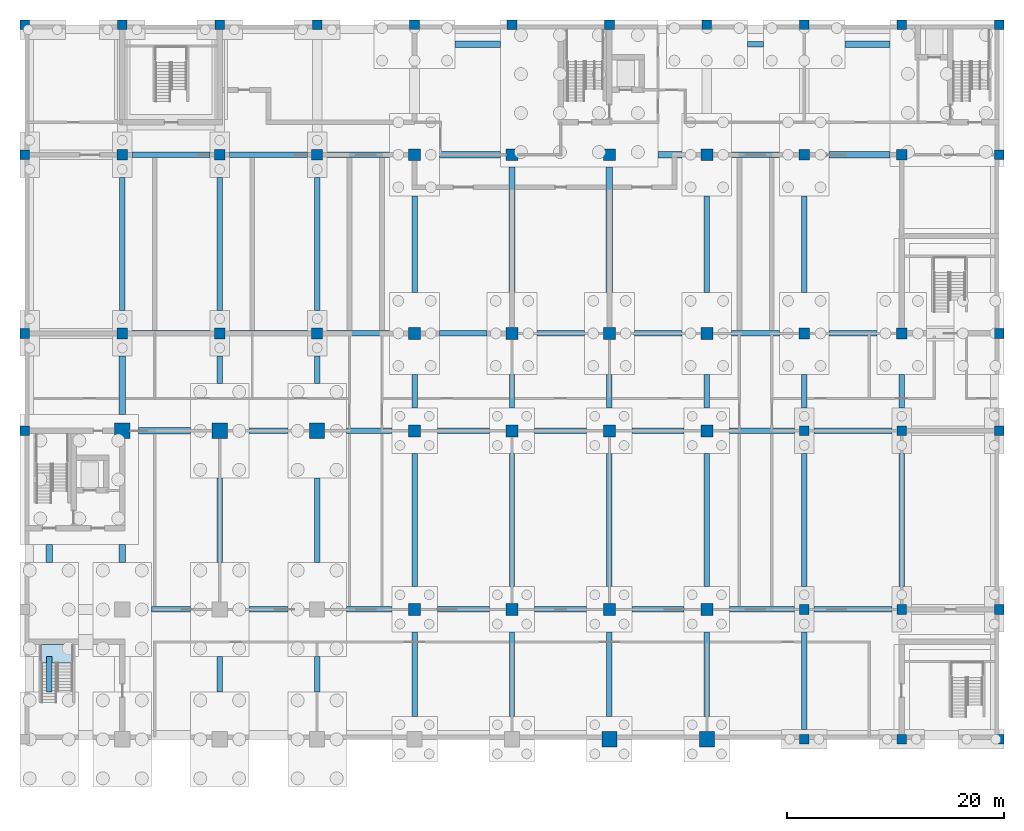
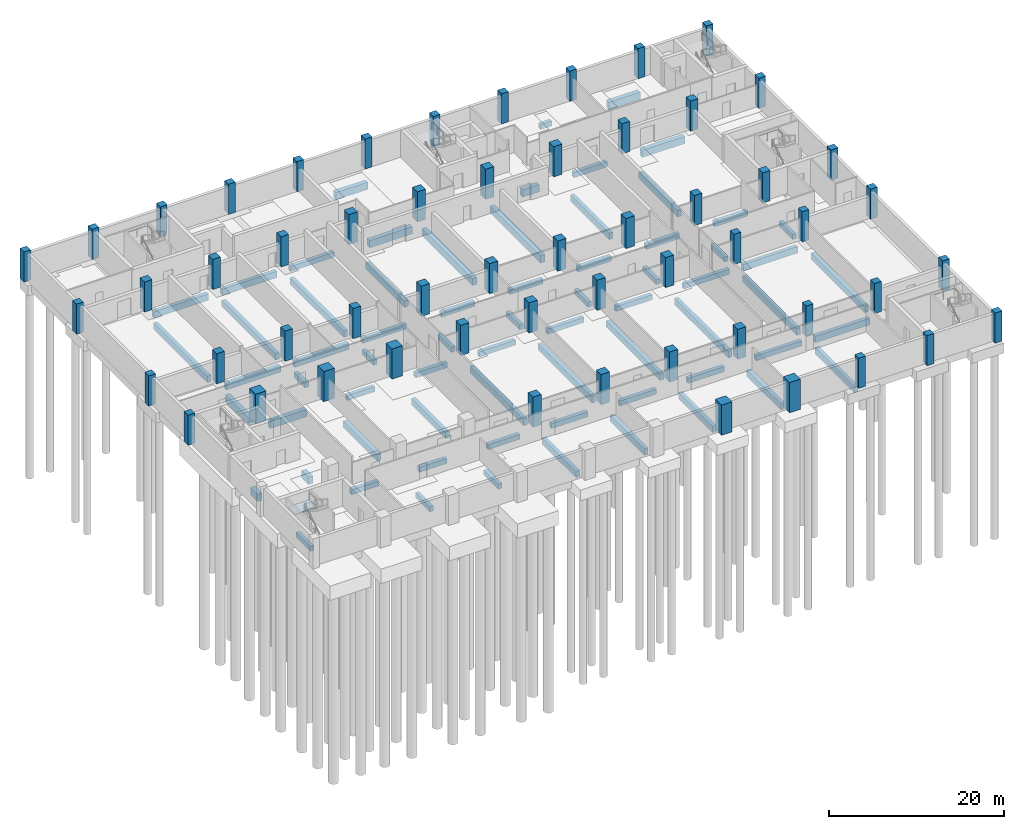
# One storey, part 3 of 15: 69 beams, 56 columns, 1 slab, 1 element without a shape of its own.
"""IFC4 building model written with IfcOpenShell, lengths in metres."""

import ifcopenshell
import ifcopenshell.guid

model = None  # the IFC model being written
_history = None  # IfcOwnerHistory: only IFC2X3 demands one
_inside = {}  # id of a spatial element -> (the spatial element, [elements in it])
_under = {}  # id of a project, library or spatial element -> (it, [spatial elements below it])
_declared = {}  # id of a project -> (the project, [libraries it declares])
_typed = {}  # id of a type object -> (the type object, [elements of that type])
_made_of = {}  # id of a material, layer set ... -> (it, [elements and type objects made of it])


def new_model(schema):
    """Start an empty IFC model of exactly this schema.

    Asked for "IFC4X3", IfcOpenShell would pick the latest addendum, in which some entities
    have other attributes; the version numbers below select the first issue.
    IFC2X3 requires an IfcOwnerHistory on every rooted entity: one is made here for all.
    """
    global model, _history
    if schema == "IFC4X3":
        model = ifcopenshell.file(schema_version=(4, 3, 0, 0))
    else:
        model = ifcopenshell.file(schema=schema)
    _inside.clear()
    _under.clear()
    _declared.clear()
    _typed.clear()
    _made_of.clear()
    _history = None
    if model.schema == "IFC2X3":
        org = make("IfcOrganization", Name="unknown")
        user = make(
            "IfcPersonAndOrganization",
            ThePerson=make("IfcPerson", FamilyName="unknown"),
            TheOrganization=org,
        )
        app = make(
            "IfcApplication",
            ApplicationDeveloper=org,
            Version="unknown",
            ApplicationFullName="unknown",
            ApplicationIdentifier="unknown",
        )
        _history = make(
            "IfcOwnerHistory",
            OwningUser=user,
            OwningApplication=app,
            ChangeAction="ADDED",
            CreationDate=0,
        )
    return model


def make(cls, **values):
    """One entity of the class cls with the attributes given. An attribute that is None is left unset."""
    return model.create_entity(
        cls, **{name: value for name, value in values.items() if value is not None}
    )


def rooted(cls, **values):
    """An entity with a GlobalId (a new one), such as an element, a storey or a relation."""
    return make(cls, GlobalId=ifcopenshell.guid.new(), OwnerHistory=_history, **values)


def si_unit(unit_type, name, prefix=None):
    """IfcSIUnit, for example si_unit("LENGTHUNIT", "METRE", prefix="MILLI")."""
    return make("IfcSIUnit", UnitType=unit_type, Prefix=prefix, Name=name)


def assignment(units):
    """IfcUnitAssignment: the units of a project."""
    return None if units is None else make("IfcUnitAssignment", Units=units)


def point(xyz):
    """IfcCartesianPoint."""
    return None if xyz is None else make("IfcCartesianPoint", Coordinates=xyz)


def direction(xyz):
    """IfcDirection."""
    return None if xyz is None else make("IfcDirection", DirectionRatios=xyz)


def frame(location, z_axis=None, x_axis=None):
    """IfcAxis2Placement3D, a coordinate frame: its origin and axes. An axis left out is left unset."""
    return make(
        "IfcAxis2Placement3D",
        Location=point(location),
        Axis=direction(z_axis),
        RefDirection=direction(x_axis),
    )


def frame_2d(location, x_axis=None):
    """IfcAxis2Placement2D, a coordinate frame in the plane: its origin and x axis."""
    return make(
        "IfcAxis2Placement2D", Location=point(location), RefDirection=direction(x_axis)
    )


def origin():
    """The frame at (0, 0, 0) with its axes left unset."""
    return frame((0.0, 0.0, 0.0))


def origin_2d():
    """The frame at (0, 0) in the plane with its x axis left unset."""
    return frame_2d((0.0, 0.0))


def place(relative_to, where):
    """IfcLocalPlacement: puts the frame where relative to a parent placement (None: the world)."""
    return make(
        "IfcLocalPlacement", PlacementRelTo=relative_to, RelativePlacement=where
    )


def context(
    kind, dimensions, precision=None, world=None, true_north=None, identifier=None
):
    """IfcGeometricRepresentationContext, for example the 3D "Model" context."""
    return make(
        "IfcGeometricRepresentationContext",
        ContextIdentifier=identifier,
        ContextType=kind,
        CoordinateSpaceDimension=dimensions,
        Precision=precision,
        WorldCoordinateSystem=world,
        TrueNorth=true_north,
    )


def subcontext(parent, identifier, kind, view, scale=None):
    """IfcGeometricRepresentationSubContext, for example "Body" below "Model"."""
    return make(
        "IfcGeometricRepresentationSubContext",
        ContextIdentifier=identifier,
        ContextType=kind,
        ParentContext=parent,
        TargetScale=scale,
        TargetView=view,
    )


def project(units=None, contexts=None):
    """IfcProject with its units and contexts."""
    return rooted(
        "IfcProject",
        Name="project",
        RepresentationContexts=contexts,
        UnitsInContext=assignment(units),
    )


def spatial(cls, under=None, at=None, **own):
    """A site, building, storey or space (cls), placed at a placement, below another one or the project."""
    s = rooted(cls, ObjectPlacement=at, **own)
    if under is not None:
        _under.setdefault(under.id(), (under, []))[1].append(s)
    return s


def polyline(points):
    """IfcPolyline through the points."""
    return make("IfcPolyline", Points=[point(p) for p in points])


def profile(cls, at=None, kind="AREA", **sizes):
    """A parametric profile (cls). Its sizes go by their IFC names, for example OverallWidth=200.0."""
    return make(cls, ProfileType=kind, Position=at, **sizes)


def rectangle(**sizes):
    """IfcRectangleProfileDef."""
    return profile("IfcRectangleProfileDef", **sizes)


def outline(outer, holes=None, kind="AREA"):
    """IfcArbitraryClosedProfileDef: a profile drawn as a closed curve; with holes, ...WithVoids."""
    if holes is None:
        return make("IfcArbitraryClosedProfileDef", ProfileType=kind, OuterCurve=outer)
    return make(
        "IfcArbitraryProfileDefWithVoids",
        ProfileType=kind,
        OuterCurve=outer,
        InnerCurves=holes,
    )


def extrude(swept, where, along, depth):
    """IfcExtrudedAreaSolid: the profile swept, set in the frame where, extruded along a direction by depth."""
    return make(
        "IfcExtrudedAreaSolid",
        SweptArea=swept,
        Position=where,
        ExtrudedDirection=direction(along),
        Depth=depth,
    )


def shape(context_of_items, identifier, shape_type, items):
    """IfcShapeRepresentation: the items that make up one representation, for example the "Body"."""
    return make(
        "IfcShapeRepresentation",
        ContextOfItems=context_of_items,
        RepresentationIdentifier=identifier,
        RepresentationType=shape_type,
        Items=items,
    )


def material(Name=None, Category=None):
    """IfcMaterial."""
    return make("IfcMaterial", Name=Name, Category=Category)


def layer(
    of_material, thickness, ventilated=None, Name=None, Category=None, Priority=None
):
    """IfcMaterialLayer: one layer of a wall or slab, of a material (None: an air gap)."""
    return make(
        "IfcMaterialLayer",
        Material=of_material,
        LayerThickness=thickness,
        IsVentilated=ventilated,
        Name=Name,
        Category=Category,
        Priority=Priority,
    )


def layer_set(layers, Name=None):
    """IfcMaterialLayerSet."""
    return make("IfcMaterialLayerSet", MaterialLayers=layers, LayerSetName=Name)


def material_profile(
    of_material, cross_section, Name=None, Category=None, Priority=None
):
    """IfcMaterialProfile: a cross section and its material."""
    return make(
        "IfcMaterialProfile",
        Name=Name,
        Material=of_material,
        Profile=cross_section,
        Priority=Priority,
        Category=Category,
    )


def profile_set(profiles, Name=None, composite=None):
    """IfcMaterialProfileSet."""
    return make(
        "IfcMaterialProfileSet",
        Name=Name,
        MaterialProfiles=profiles,
        CompositeProfile=composite,
    )


def made_of(thing, what):
    """Note that an element or type object is made of a material, layer set ...; save() writes the relation."""
    if what is not None:
        _made_of.setdefault(what.id(), (what, []))[1].append(thing)
    return thing


def type_object(cls, material=None, **own):
    """A type object (cls), such as IfcWallType, which elements share."""
    return made_of(rooted(cls, **own), material)


def element(
    cls,
    number,
    at=None,
    inside=None,
    cuts=None,
    type_object=None,
    material=None,
    context=None,
    identifier="Body",
    shape_type=None,
    held_by="IfcProductDefinitionShape",
    body=None,
    shapes=None,
    **own,
):
    """One element of the class cls, such as IfcWall. Its Tag is "e" and its number.

    at: its placement. inside: the storey or other place that contains it. cuts: it is an
    opening in that element (IfcRelVoidsElement). A single representation is given by context,
    identifier, shape_type and body (its items); several are given by shapes. held_by: the class
    of the entity that holds the representations. save() writes the other relations.
    """
    e = rooted(cls, Tag="e%d" % number, ObjectPlacement=at, **own)
    if body is not None:
        shapes = [shape(context, identifier, shape_type, body)]
    if shapes is not None:
        e.Representation = make(held_by, Representations=shapes)
    if inside is not None:
        _inside.setdefault(inside.id(), (inside, []))[1].append(e)
    if cuts is not None:
        rooted(
            "IfcRelVoidsElement", RelatingBuildingElement=cuts, RelatedOpeningElement=e
        )
    if type_object is not None:
        _typed.setdefault(type_object.id(), (type_object, []))[1].append(e)
    return made_of(e, material)


def aggregate(whole, parts):
    """IfcRelAggregates: a whole, such as a stair, and the parts it consists of."""
    return rooted("IfcRelAggregates", RelatingObject=whole, RelatedObjects=parts)


def save(model, path):
    """Write the relations noted so far, then the file.

    IfcRelAggregates (storeys below a building ...), IfcRelContainedInSpatialStructure (elements
    in a storey), IfcRelDefinesByType, IfcRelAssociatesMaterial and IfcRelDeclares: one each for
    every whole, place, type object, material and project.
    """
    for whole, parts in _under.values():
        aggregate(whole, parts)
    for where, things in _inside.values():
        rooted(
            "IfcRelContainedInSpatialStructure",
            RelatedElements=things,
            RelatingStructure=where,
        )
    for kind, things in _typed.values():
        rooted("IfcRelDefinesByType", RelatedObjects=things, RelatingType=kind)
    for what, things in _made_of.values():
        rooted("IfcRelAssociatesMaterial", RelatedObjects=things, RelatingMaterial=what)
    for by, libraries in _declared.values():
        rooted("IfcRelDeclares", RelatingContext=by, RelatedDefinitions=libraries)
    model.write(path)


model = new_model("IFC4")

# Units and contexts
model_context = context("Model", 3, precision=1e-05, world=origin(), true_north=direction((0.0, 1.0)))
body_context = subcontext(model_context, "Body", "Model", "MODEL_VIEW")
ifc_project = project(units=[si_unit("LENGTHUNIT", "METRE"), si_unit("AREAUNIT", "SQUARE_METRE"), si_unit("VOLUMEUNIT", "CUBIC_METRE"), si_unit("PLANEANGLEUNIT", "RADIAN"), si_unit("MASSUNIT", "GRAM", prefix="KILO")], contexts=[model_context])

# Site, building, storey
site_placement = place(None, origin())
site = spatial("IfcSite", under=ifc_project, at=site_placement, CompositionType="ELEMENT")
building_placement = place(site_placement, origin())
building = spatial("IfcBuilding", under=site, at=building_placement, Name="Aurelan Courthouse", CompositionType="ELEMENT")
storey_placement = place(building_placement, frame((0.0, 0.0, -8.39990234375)))
storey = spatial("IfcBuildingStorey", under=building, at=storey_placement, Name="B2", CompositionType="ELEMENT", Elevation=-8.39990234375)

# Columns
ifc_material_1 = material(Name="Concrete C50", Category="concrete")
ifc_material_profile_1 = material_profile(ifc_material_1, rectangle(XDim=1.0, YDim=1.0, at=origin_2d()), Name="RC 1000 x 1000")
ifc_profile_set_1 = profile_set([ifc_material_profile_1], Name="Concrete C50")
column_type_1 = type_object("IfcColumnType", Name="RC column 1000 x 1000 C50", PredefinedType="COLUMN", material=ifc_profile_set_1)
for number, where, z_axis, x_axis, name in (
    (1, (9.0, 37.5, 0.0), (0.0, 0.0, 1.0), (1.0, 0.0, 0.0), "Column C-D2-A"),
    (2, (18.0, 37.5, 0.0), (0.0, 0.0, 1.0), (1.0, 0.0, 0.0), "Column C-D3-A"),
    (3, (27.0, 37.5, 0.0), (0.0, 0.0, 1.0), (1.0, 0.0, 0.0), "Column C-D4-A"),
    (4, (72.0, 37.5, 0.0), (0.0, 0.0, 1.0), (1.0, 0.0, 0.0), "Column C-D9-A"),
    (5, (81.0, 37.5, 0.0), (0.0, 0.0, 1.0), (1.0, 0.0, 0.0), "Column C-D10-A"),
    (6, (9.0, 54.0, 0.0), (0.0, 0.0, 1.0), (1.0, 0.0, 0.0), "Column C-E2-A"),
    (7, (18.0, 54.0, 0.0), (0.0, 0.0, 1.0), (1.0, 0.0, 0.0), "Column C-E3-A"),
    (8, (27.0, 54.0, 0.0), (0.0, 0.0, 1.0), (1.0, 0.0, 0.0), "Column C-E4-A"),
    (9, (72.0, 54.0, 0.0), (0.0, 0.0, 1.0), (1.0, 0.0, 0.0), "Column C-E9-A"),
    (10, (81.0, 54.0, 0.0), (0.0, 0.0, 1.0), (1.0, 0.0, 0.0), "Column C-E10-A"),
):
    element("IfcColumn", number, at=place(storey_placement, frame(where, z_axis=z_axis, x_axis=x_axis)), inside=storey, type_object=column_type_1, Name=name, PredefinedType="COLUMN", context=body_context, shape_type="SweptSolid", body=[
        extrude(rectangle(XDim=1.0, YDim=1.0, at=origin_2d()), origin(), (0.0, 0.0, 1.0), 4.199951171875),
    ])
ifc_material_profile_2 = material_profile(ifc_material_1, rectangle(XDim=1.10009765625, YDim=1.10009765625, at=origin_2d()), Name="RC 1100 x 1100")
ifc_profile_set_2 = profile_set([ifc_material_profile_2], Name="Concrete C50")
column_type_2 = type_object("IfcColumnType", Name="RC column 1100 x 1100 C50", PredefinedType="COLUMN", material=ifc_profile_set_2)
for number, where, z_axis, x_axis, name in (
    (11, (36.0, 12.0, 0.0), (0.0, 0.0, 1.0), (1.0, 0.0, 0.0), "Column C-B5-A"),
    (12, (45.0, 12.0, 0.0), (0.0, 0.0, 1.0), (1.0, 0.0, 0.0), "Column C-B6-A"),
    (13, (54.0, 12.0, 0.0), (0.0, 0.0, 1.0), (1.0, 0.0, 0.0), "Column C-B7-A"),
    (14, (63.0, 12.0, 0.0), (0.0, 0.0, 1.0), (1.0, 0.0, 0.0), "Column C-B8-A"),
    (15, (36.0, 28.5, 0.0), (0.0, 0.0, 1.0), (1.0, 0.0, 0.0), "Column C-C5-A"),
    (16, (45.0, 28.5, 0.0), (0.0, 0.0, 1.0), (1.0, 0.0, 0.0), "Column C-C6-A"),
    (17, (54.0, 28.5, 0.0), (0.0, 0.0, 1.0), (1.0, 0.0, 0.0), "Column C-C7-A"),
    (18, (63.0, 28.5, 0.0), (0.0, 0.0, 1.0), (1.0, 0.0, 0.0), "Column C-C8-A"),
    (19, (36.0, 37.5, 0.0), (0.0, 0.0, 1.0), (1.0, 0.0, 0.0), "Column C-D5-A"),
    (20, (45.0, 37.5, 0.0), (0.0, 0.0, 1.0), (1.0, 0.0, 0.0), "Column C-D6-A"),
    (21, (54.0, 37.5, 0.0), (0.0, 0.0, 1.0), (1.0, 0.0, 0.0), "Column C-D7-A"),
    (22, (63.0, 37.5, 0.0), (0.0, 0.0, 1.0), (1.0, 0.0, 0.0), "Column C-D8-A"),
    (23, (36.0, 54.0, 0.0), (0.0, 0.0, 1.0), (1.0, 0.0, 0.0), "Column C-E5-A"),
    (24, (45.0, 54.0, 0.0), (0.0, 0.0, 1.0), (1.0, 0.0, 0.0), "Column C-E6-A"),
    (25, (54.0, 54.0, 0.0), (0.0, 0.0, 1.0), (1.0, 0.0, 0.0), "Column C-E7-A"),
    (26, (63.0, 54.0, 0.0), (0.0, 0.0, 1.0), (1.0, 0.0, 0.0), "Column C-E8-A"),
):
    element("IfcColumn", number, at=place(storey_placement, frame(where, z_axis=z_axis, x_axis=x_axis)), inside=storey, type_object=column_type_2, Name=name, PredefinedType="COLUMN", context=body_context, shape_type="SweptSolid", body=[
        extrude(rectangle(XDim=1.10009765625, YDim=1.10009765625, at=origin_2d()), origin(), (0.0, 0.0, 1.0), 4.199951171875),
    ])
ifc_material_profile_3 = material_profile(ifc_material_1, rectangle(XDim=1.39990234375, YDim=1.39990234375, at=origin_2d()), Name="RC 1400 x 1400")
ifc_profile_set_3 = profile_set([ifc_material_profile_3], Name="Concrete C50")
column_type_3 = type_object("IfcColumnType", Name="RC column 1400 x 1400 C50", PredefinedType="COLUMN", material=ifc_profile_set_3)
for number, where, z_axis, x_axis, name in (
    (27, (54.0, 0.0, 0.0), (0.0, 0.0, 1.0), (1.0, 0.0, 0.0), "Column C-A7-A"),
    (28, (63.0, 0.0, 0.0), (0.0, 0.0, 1.0), (1.0, 0.0, 0.0), "Column C-A8-A"),
    (29, (9.0, 28.5, 0.0), (0.0, 0.0, 1.0), (1.0, 0.0, 0.0), "Column C-C2-A"),
    (30, (18.0, 28.5, 0.0), (0.0, 0.0, 1.0), (1.0, 0.0, 0.0), "Column C-C3-A"),
    (31, (27.0, 28.5, 0.0), (0.0, 0.0, 1.0), (1.0, 0.0, 0.0), "Column C-C4-A"),
):
    element("IfcColumn", number, at=place(storey_placement, frame(where, z_axis=z_axis, x_axis=x_axis)), inside=storey, type_object=column_type_3, Name=name, PredefinedType="COLUMN", context=body_context, shape_type="SweptSolid", body=[
        extrude(rectangle(XDim=1.39990234375, YDim=1.39990234375, at=origin_2d()), origin(), (0.0, 0.0, 1.0), 4.199951171875),
    ])
ifc_material_profile_4 = material_profile(ifc_material_1, rectangle(XDim=0.89990234375, YDim=0.89990234375, at=origin_2d()), Name="RC 900 x 900")
ifc_profile_set_4 = profile_set([ifc_material_profile_4], Name="Concrete C50")
column_type_4 = type_object("IfcColumnType", Name="RC column 900 x 900 C50", PredefinedType="COLUMN", material=ifc_profile_set_4)
for number, where, z_axis, x_axis, name in (
    (32, (72.0, 0.0, 0.0), (0.0, 0.0, 1.0), (1.0, 0.0, 0.0), "Column C-A9-A"),
    (33, (81.0, 0.0, 0.0), (0.0, 0.0, 1.0), (1.0, 0.0, 0.0), "Column C-A10-A"),
    (34, (90.0, 0.0, 0.0), (0.0, 0.0, 1.0), (1.0, 0.0, 0.0), "Column C-A11-A"),
    (35, (72.0, 12.0, 0.0), (0.0, 0.0, 1.0), (1.0, 0.0, 0.0), "Column C-B9-A"),
    (36, (81.0, 12.0, 0.0), (0.0, 0.0, 1.0), (1.0, 0.0, 0.0), "Column C-B10-A"),
    (37, (90.0, 12.0, 0.0), (0.0, 0.0, 1.0), (1.0, 0.0, 0.0), "Column C-B11-A"),
    (38, (0.0, 28.5, 0.0), (0.0, 0.0, 1.0), (1.0, 0.0, 0.0), "Column C-C1-A"),
    (39, (72.0, 28.5, 0.0), (0.0, 0.0, 1.0), (1.0, 0.0, 0.0), "Column C-C9-A"),
    (40, (81.0, 28.5, 0.0), (0.0, 0.0, 1.0), (1.0, 0.0, 0.0), "Column C-C10-A"),
    (41, (90.0, 28.5, 0.0), (0.0, 0.0, 1.0), (1.0, 0.0, 0.0), "Column C-C11-A"),
    (42, (0.0, 37.5, 0.0), (0.0, 0.0, 1.0), (1.0, 0.0, 0.0), "Column C-D1-A"),
    (43, (90.0, 37.5, 0.0), (0.0, 0.0, 1.0), (1.0, 0.0, 0.0), "Column C-D11-A"),
    (44, (0.0, 54.0, 0.0), (0.0, 0.0, 1.0), (1.0, 0.0, 0.0), "Column C-E1-A"),
    (45, (90.0, 54.0, 0.0), (0.0, 0.0, 1.0), (1.0, 0.0, 0.0), "Column C-E11-A"),
    (46, (0.0, 66.0, 0.0), (0.0, 0.0, 1.0), (1.0, 0.0, 0.0), "Column C-F1-A"),
    (47, (9.0, 66.0, 0.0), (0.0, 0.0, 1.0), (1.0, 0.0, 0.0), "Column C-F2-A"),
    (48, (18.0, 66.0, 0.0), (0.0, 0.0, 1.0), (1.0, 0.0, 0.0), "Column C-F3-A"),
    (49, (27.0, 66.0, 0.0), (0.0, 0.0, 1.0), (1.0, 0.0, 0.0), "Column C-F4-A"),
    (50, (36.0, 66.0, 0.0), (0.0, 0.0, 1.0), (1.0, 0.0, 0.0), "Column C-F5-A"),
    (51, (45.0, 66.0, 0.0), (0.0, 0.0, 1.0), (1.0, 0.0, 0.0), "Column C-F6-A"),
    (52, (54.0, 66.0, 0.0), (0.0, 0.0, 1.0), (1.0, 0.0, 0.0), "Column C-F7-A"),
    (53, (63.0, 66.0, 0.0), (0.0, 0.0, 1.0), (1.0, 0.0, 0.0), "Column C-F8-A"),
    (54, (72.0, 66.0, 0.0), (0.0, 0.0, 1.0), (1.0, 0.0, 0.0), "Column C-F9-A"),
    (55, (81.0, 66.0, 0.0), (0.0, 0.0, 1.0), (1.0, 0.0, 0.0), "Column C-F10-A"),
    (56, (90.0, 66.0, 0.0), (0.0, 0.0, 1.0), (1.0, 0.0, 0.0), "Column C-F11-A"),
):
    element("IfcColumn", number, at=place(storey_placement, frame(where, z_axis=z_axis, x_axis=x_axis)), inside=storey, type_object=column_type_4, Name=name, PredefinedType="COLUMN", context=body_context, shape_type="SweptSolid", body=[
        extrude(rectangle(XDim=0.89990234375, YDim=0.89990234375, at=origin_2d()), origin(), (0.0, 0.0, 1.0), 4.199951171875),
    ])

# Beams
ifc_material_2 = material(Name="Concrete C35", Category="concrete")
ifc_material_profile_5 = material_profile(ifc_material_2, rectangle(XDim=0.5, YDim=0.699951171875, at=origin_2d()), Name="RC 500 x 700")
ifc_profile_set_5 = profile_set([ifc_material_profile_5], Name="Concrete C35")
beam_type_1 = type_object("IfcBeamType", Name="RC tie beam 500 x 700", PredefinedType="BEAM", material=ifc_profile_set_5)
for number, where, z_axis, x_axis, name in (
    (57, (11.699951171875, 12.0, -0.9501953125), (1.0, 0.0, 0.0), (0.0, 1.0, 0.0), "Tie beam TB-B2-B3"),
    (58, (20.699951171875, 12.0, -0.9501953125), (1.0, 0.0, 0.0), (0.0, 1.0, 0.0), "Tie beam TB-B3-B4"),
):
    element("IfcBeam", number, at=place(storey_placement, frame(where, z_axis=z_axis, x_axis=x_axis)), inside=storey, type_object=beam_type_1, Name=name, PredefinedType="BEAM", context=body_context, shape_type="SweptSolid", body=[
        extrude(rectangle(XDim=0.5, YDim=0.699951171875, at=origin_2d()), origin(), (0.0, 0.0, 1.0), 3.60009765625),
    ])
beam_1_placement = place(storey_placement, frame((29.699951171875, 12.0, -0.9501953125), z_axis=(1.0, 0.0, 0.0), x_axis=(0.0, 1.0, 0.0)))
element("IfcBeam", 59, at=beam_1_placement, inside=storey, type_object=beam_type_1, Name="Tie beam TB-B4-B5", PredefinedType="BEAM", context=body_context, shape_type="SweptSolid", body=[
    extrude(rectangle(XDim=0.5, YDim=0.699951171875, at=origin_2d()), origin(), (0.0, 0.0, 1.0), 4.199951171875),
])
for number, where, z_axis, x_axis, name in (
    (60, (38.10009765625, 12.0, -0.9501953125), (1.0, 0.0, 0.0), (0.0, 1.0, 0.0), "Tie beam TB-B5-B6"),
    (61, (47.10009765625, 12.0, -0.9501953125), (1.0, 0.0, 0.0), (0.0, 1.0, 0.0), "Tie beam TB-B6-B7"),
    (62, (56.10009765625, 12.0, -0.9501953125), (1.0, 0.0, 0.0), (0.0, 1.0, 0.0), "Tie beam TB-B7-B8"),
):
    element("IfcBeam", number, at=place(storey_placement, frame(where, z_axis=z_axis, x_axis=x_axis)), inside=storey, type_object=beam_type_1, Name=name, PredefinedType="BEAM", context=body_context, shape_type="SweptSolid", body=[
        extrude(rectangle(XDim=0.5, YDim=0.699951171875, at=origin_2d()), origin(), (0.0, 0.0, 1.0), 4.7998046875),
    ])
beam_2_placement = place(storey_placement, frame((65.10009765625, 12.0, -0.9501953125), z_axis=(1.0, 0.0, 0.0), x_axis=(0.0, 1.0, 0.0)))
element("IfcBeam", 63, at=beam_2_placement, inside=storey, type_object=beam_type_1, Name="Tie beam TB-B8-B9", PredefinedType="BEAM", context=body_context, shape_type="SweptSolid", body=[
    extrude(rectangle(XDim=0.5, YDim=0.699951171875, at=origin_2d()), origin(), (0.0, 0.0, 1.0), 6.0),
])
beam_3_placement = place(storey_placement, frame((20.699951171875, 28.5, -0.9501953125), z_axis=(1.0, 0.0, 0.0), x_axis=(0.0, 1.0, 0.0)))
element("IfcBeam", 64, at=beam_3_placement, inside=storey, type_object=beam_type_1, Name="Tie beam TB-C3-C4", PredefinedType="BEAM", context=body_context, shape_type="SweptSolid", body=[
    extrude(rectangle(XDim=0.5, YDim=0.699951171875, at=origin_2d()), origin(), (0.0, 0.0, 1.0), 3.60009765625),
])
beam_4_placement = place(storey_placement, frame((29.699951171875, 28.5, -0.9501953125), z_axis=(1.0, 0.0, 0.0), x_axis=(0.0, 1.0, 0.0)))
element("IfcBeam", 65, at=beam_4_placement, inside=storey, type_object=beam_type_1, Name="Tie beam TB-C4-C5", PredefinedType="BEAM", context=body_context, shape_type="SweptSolid", body=[
    extrude(rectangle(XDim=0.5, YDim=0.699951171875, at=origin_2d()), origin(), (0.0, 0.0, 1.0), 4.199951171875),
])
for number, where, z_axis, x_axis, name in (
    (66, (38.10009765625, 28.5, -0.9501953125), (1.0, 0.0, 0.0), (0.0, 1.0, 0.0), "Tie beam TB-C5-C6"),
    (67, (47.10009765625, 28.5, -0.9501953125), (1.0, 0.0, 0.0), (0.0, 1.0, 0.0), "Tie beam TB-C6-C7"),
    (68, (56.10009765625, 28.5, -0.9501953125), (1.0, 0.0, 0.0), (0.0, 1.0, 0.0), "Tie beam TB-C7-C8"),
):
    element("IfcBeam", number, at=place(storey_placement, frame(where, z_axis=z_axis, x_axis=x_axis)), inside=storey, type_object=beam_type_1, Name=name, PredefinedType="BEAM", context=body_context, shape_type="SweptSolid", body=[
        extrude(rectangle(XDim=0.5, YDim=0.699951171875, at=origin_2d()), origin(), (0.0, 0.0, 1.0), 4.7998046875),
    ])
beam_5_placement = place(storey_placement, frame((65.10009765625, 28.5, -0.9501953125), z_axis=(1.0, 0.0, 0.0), x_axis=(0.0, 1.0, 0.0)))
element("IfcBeam", 69, at=beam_5_placement, inside=storey, type_object=beam_type_1, Name="Tie beam TB-C8-C9", PredefinedType="BEAM", context=body_context, shape_type="SweptSolid", body=[
    extrude(rectangle(XDim=0.5, YDim=0.699951171875, at=origin_2d()), origin(), (0.0, 0.0, 1.0), 6.0),
])
beam_6_placement = place(storey_placement, frame((27.89990234375, 37.5, -0.9501953125), z_axis=(1.0, 0.0, 0.0), x_axis=(0.0, 1.0, 0.0)))
element("IfcBeam", 70, at=beam_6_placement, inside=storey, type_object=beam_type_1, Name="Tie beam TB-D4-D5", PredefinedType="BEAM", context=body_context, shape_type="SweptSolid", body=[
    extrude(rectangle(XDim=0.5, YDim=0.699951171875, at=origin_2d()), origin(), (0.0, 0.0, 1.0), 5.800048828125),
])
for number, where, z_axis, x_axis, name in (
    (71, (38.300048828125, 37.5, -0.9501953125), (1.0, 0.0, 0.0), (0.0, 1.0, 0.0), "Tie beam TB-D5-D6"),
    (72, (47.300048828125, 37.5, -0.9501953125), (1.0, 0.0, 0.0), (0.0, 1.0, 0.0), "Tie beam TB-D6-D7"),
    (73, (56.300048828125, 37.5, -0.9501953125), (1.0, 0.0, 0.0), (0.0, 1.0, 0.0), "Tie beam TB-D7-D8"),
    (74, (65.300048828125, 37.5, -0.9501953125), (1.0, 0.0, 0.0), (0.0, 1.0, 0.0), "Tie beam TB-D8-D9"),
    (75, (74.300048828125, 37.5, -0.9501953125), (1.0, 0.0, 0.0), (0.0, 1.0, 0.0), "Tie beam TB-D9-D10"),
):
    element("IfcBeam", number, at=place(storey_placement, frame(where, z_axis=z_axis, x_axis=x_axis)), inside=storey, type_object=beam_type_1, Name=name, PredefinedType="BEAM", context=body_context, shape_type="SweptSolid", body=[
        extrude(rectangle(XDim=0.5, YDim=0.699951171875, at=origin_2d()), origin(), (0.0, 0.0, 1.0), 4.39990234375),
    ])
beam_7_placement = place(storey_placement, frame((27.89990234375, 54.0, -0.9501953125), z_axis=(1.0, 0.0, 0.0), x_axis=(0.0, 1.0, 0.0)))
element("IfcBeam", 76, at=beam_7_placement, inside=storey, type_object=beam_type_1, Name="Tie beam TB-E4-E5", PredefinedType="BEAM", context=body_context, shape_type="SweptSolid", body=[
    extrude(rectangle(XDim=0.5, YDim=0.699951171875, at=origin_2d()), origin(), (0.0, 0.0, 1.0), 5.800048828125),
])
beam_8_placement = place(storey_placement, frame((65.300048828125, 54.0, -0.9501953125), z_axis=(1.0, 0.0, 0.0), x_axis=(0.0, 1.0, 0.0)))
element("IfcBeam", 77, at=beam_8_placement, inside=storey, type_object=beam_type_1, Name="Tie beam TB-E8-E9", PredefinedType="BEAM", context=body_context, shape_type="SweptSolid", body=[
    extrude(rectangle(XDim=0.5, YDim=0.699951171875, at=origin_2d()), origin(), (0.0, 0.0, 1.0), 4.39990234375),
])
beam_9_placement = place(storey_placement, frame((66.75, 64.199951171875, -0.9501953125), z_axis=(1.0, 0.0, 0.0), x_axis=(0.0, 1.0, 0.0)))
element("IfcBeam", 78, at=beam_9_placement, inside=storey, type_object=beam_type_1, Name="Tie beam TB-F8-F9", PredefinedType="BEAM", context=body_context, shape_type="SweptSolid", body=[
    extrude(rectangle(XDim=0.5, YDim=0.699951171875, at=origin_2d()), origin(), (0.0, 0.0, 1.0), 1.5),
])
for number, where, z_axis, x_axis, name in (
    (79, (2.25, 4.35009765625, -0.9501953125), (0.0, 1.0, 0.0), (-1.0, 0.0, 0.0), "Tie beam TB-A1-B1"),
    (80, (18.0, 4.35009765625, -0.9501953125), (0.0, 1.0, 0.0), (-1.0, 0.0, 0.0), "Tie beam TB-A3-B3"),
):
    element("IfcBeam", number, at=place(storey_placement, frame(where, z_axis=z_axis, x_axis=x_axis)), inside=storey, type_object=beam_type_1, Name=name, PredefinedType="BEAM", context=body_context, shape_type="SweptSolid", body=[
        extrude(rectangle(XDim=0.5, YDim=0.699951171875, at=origin_2d()), origin(), (0.0, 0.0, 1.0), 3.2998046875),
    ])
beam_10_placement = place(storey_placement, frame((18.0, 32.85009765625, -0.9501953125), z_axis=(0.0, 1.0, 0.0), x_axis=(-1.0, 0.0, 0.0)))
element("IfcBeam", 81, at=beam_10_placement, inside=storey, type_object=beam_type_1, Name="Tie beam TB-C3-D3", PredefinedType="BEAM", context=body_context, shape_type="SweptSolid", body=[
    extrude(rectangle(XDim=0.5, YDim=0.699951171875, at=origin_2d()), origin(), (0.0, 0.0, 1.0), 2.5498046875),
])
beam_11_placement = place(storey_placement, frame((27.0, 4.35009765625, -0.9501953125), z_axis=(0.0, 1.0, 0.0), x_axis=(-1.0, 0.0, 0.0)))
element("IfcBeam", 82, at=beam_11_placement, inside=storey, type_object=beam_type_1, Name="Tie beam TB-A4-B4", PredefinedType="BEAM", context=body_context, shape_type="SweptSolid", body=[
    extrude(rectangle(XDim=0.5, YDim=0.699951171875, at=origin_2d()), origin(), (0.0, 0.0, 1.0), 3.2998046875),
])
beam_12_placement = place(storey_placement, frame((27.0, 32.85009765625, -0.9501953125), z_axis=(0.0, 1.0, 0.0), x_axis=(-1.0, 0.0, 0.0)))
element("IfcBeam", 83, at=beam_12_placement, inside=storey, type_object=beam_type_1, Name="Tie beam TB-C4-D4", PredefinedType="BEAM", context=body_context, shape_type="SweptSolid", body=[
    extrude(rectangle(XDim=0.5, YDim=0.699951171875, at=origin_2d()), origin(), (0.0, 0.0, 1.0), 2.5498046875),
])
for number, where, z_axis, x_axis, name in (
    (84, (36.0, 30.60009765625, -0.9501953125), (0.0, 1.0, 0.0), (-1.0, 0.0, 0.0), "Tie beam TB-C5-D5"),
    (85, (45.0, 30.60009765625, -0.9501953125), (0.0, 1.0, 0.0), (-1.0, 0.0, 0.0), "Tie beam TB-C6-D6"),
    (86, (54.0, 30.60009765625, -0.9501953125), (0.0, 1.0, 0.0), (-1.0, 0.0, 0.0), "Tie beam TB-C7-D7"),
    (87, (63.0, 30.60009765625, -0.9501953125), (0.0, 1.0, 0.0), (-1.0, 0.0, 0.0), "Tie beam TB-C8-D8"),
    (88, (72.0, 30.60009765625, -0.9501953125), (0.0, 1.0, 0.0), (-1.0, 0.0, 0.0), "Tie beam TB-C9-D9"),
    (89, (81.0, 30.60009765625, -0.9501953125), (0.0, 1.0, 0.0), (-1.0, 0.0, 0.0), "Tie beam TB-C10-D10"),
):
    element("IfcBeam", number, at=place(storey_placement, frame(where, z_axis=z_axis, x_axis=x_axis)), inside=storey, type_object=beam_type_1, Name=name, PredefinedType="BEAM", context=body_context, shape_type="SweptSolid", body=[
        extrude(rectangle(XDim=0.5, YDim=0.699951171875, at=origin_2d()), origin(), (0.0, 0.0, 1.0), 3.099853515625),
    ])
ifc_material_profile_6 = material_profile(ifc_material_2, rectangle(XDim=0.5, YDim=0.89990234375, at=origin_2d()), Name="RC 500 x 900")
ifc_profile_set_6 = profile_set([ifc_material_profile_6], Name="Concrete C35")
beam_type_2 = type_object("IfcBeamType", Name="RC tie beam 500 x 900", PredefinedType="BEAM", material=ifc_profile_set_6)
for number, where, z_axis, x_axis, name in (
    (90, (72.89990234375, 12.0, -1.050048828125), (1.0, 0.0, 0.0), (0.0, 1.0, 0.0), "Tie beam TB-B9-B10"),
    (91, (72.89990234375, 28.5, -1.050048828125), (1.0, 0.0, 0.0), (0.0, 1.0, 0.0), "Tie beam TB-C9-C10"),
    (92, (9.89990234375, 37.5, -1.050048828125), (1.0, 0.0, 0.0), (0.0, 1.0, 0.0), "Tie beam TB-D2-D3"),
    (93, (18.89990234375, 37.5, -1.050048828125), (1.0, 0.0, 0.0), (0.0, 1.0, 0.0), "Tie beam TB-D3-D4"),
    (94, (9.89990234375, 54.0, -1.050048828125), (1.0, 0.0, 0.0), (0.0, 1.0, 0.0), "Tie beam TB-E2-E3"),
    (95, (18.89990234375, 54.0, -1.050048828125), (1.0, 0.0, 0.0), (0.0, 1.0, 0.0), "Tie beam TB-E3-E4"),
):
    element("IfcBeam", number, at=place(storey_placement, frame(where, z_axis=z_axis, x_axis=x_axis)), inside=storey, type_object=beam_type_2, Name=name, PredefinedType="BEAM", context=body_context, shape_type="SweptSolid", body=[
        extrude(rectangle(XDim=0.5, YDim=0.89990234375, at=origin_2d()), origin(), (0.0, 0.0, 1.0), 7.2001953125),
    ])
beam_13_placement = place(storey_placement, frame((9.0, 39.60009765625, -1.050048828125), z_axis=(0.0, 1.0, 0.0), x_axis=(-1.0, 0.0, 0.0)))
element("IfcBeam", 96, at=beam_13_placement, inside=storey, type_object=beam_type_2, Name="Tie beam TB-D2-E2", PredefinedType="BEAM", context=body_context, shape_type="SweptSolid", body=[
    extrude(rectangle(XDim=0.5, YDim=0.89990234375, at=origin_2d()), origin(), (0.0, 0.0, 1.0), 12.2998046875),
])
beam_14_placement = place(storey_placement, frame((18.0, 16.35009765625, -1.050048828125), z_axis=(0.0, 1.0, 0.0), x_axis=(-1.0, 0.0, 0.0)))
element("IfcBeam", 97, at=beam_14_placement, inside=storey, type_object=beam_type_2, Name="Tie beam TB-B3-C3", PredefinedType="BEAM", context=body_context, shape_type="SweptSolid", body=[
    extrude(rectangle(XDim=0.5, YDim=0.89990234375, at=origin_2d()), origin(), (0.0, 0.0, 1.0), 7.7998046875),
])
beam_15_placement = place(storey_placement, frame((18.0, 39.60009765625, -1.050048828125), z_axis=(0.0, 1.0, 0.0), x_axis=(-1.0, 0.0, 0.0)))
element("IfcBeam", 98, at=beam_15_placement, inside=storey, type_object=beam_type_2, Name="Tie beam TB-D3-E3", PredefinedType="BEAM", context=body_context, shape_type="SweptSolid", body=[
    extrude(rectangle(XDim=0.5, YDim=0.89990234375, at=origin_2d()), origin(), (0.0, 0.0, 1.0), 12.2998046875),
])
beam_16_placement = place(storey_placement, frame((27.0, 16.35009765625, -1.050048828125), z_axis=(0.0, 1.0, 0.0), x_axis=(-1.0, 0.0, 0.0)))
element("IfcBeam", 99, at=beam_16_placement, inside=storey, type_object=beam_type_2, Name="Tie beam TB-B4-C4", PredefinedType="BEAM", context=body_context, shape_type="SweptSolid", body=[
    extrude(rectangle(XDim=0.5, YDim=0.89990234375, at=origin_2d()), origin(), (0.0, 0.0, 1.0), 7.7998046875),
])
beam_17_placement = place(storey_placement, frame((27.0, 39.60009765625, -1.050048828125), z_axis=(0.0, 1.0, 0.0), x_axis=(-1.0, 0.0, 0.0)))
element("IfcBeam", 100, at=beam_17_placement, inside=storey, type_object=beam_type_2, Name="Tie beam TB-D4-E4", PredefinedType="BEAM", context=body_context, shape_type="SweptSolid", body=[
    extrude(rectangle(XDim=0.5, YDim=0.89990234375, at=origin_2d()), origin(), (0.0, 0.0, 1.0), 12.2998046875),
])
beam_18_placement = place(storey_placement, frame((36.0, 2.10009765625, -1.050048828125), z_axis=(0.0, 1.0, 0.0), x_axis=(-1.0, 0.0, 0.0)))
element("IfcBeam", 101, at=beam_18_placement, inside=storey, type_object=beam_type_2, Name="Tie beam TB-A5-B5", PredefinedType="BEAM", context=body_context, shape_type="SweptSolid", body=[
    extrude(rectangle(XDim=0.5, YDim=0.89990234375, at=origin_2d()), origin(), (0.0, 0.0, 1.0), 7.7998046875),
])
beam_19_placement = place(storey_placement, frame((36.0, 14.10009765625, -1.050048828125), z_axis=(0.0, 1.0, 0.0), x_axis=(-1.0, 0.0, 0.0)))
element("IfcBeam", 102, at=beam_19_placement, inside=storey, type_object=beam_type_2, Name="Tie beam TB-B5-C5", PredefinedType="BEAM", context=body_context, shape_type="SweptSolid", body=[
    extrude(rectangle(XDim=0.5, YDim=0.89990234375, at=origin_2d()), origin(), (0.0, 0.0, 1.0), 12.2998046875),
])
beam_20_placement = place(storey_placement, frame((36.0, 41.300048828125, -1.050048828125), z_axis=(0.0, 1.0, 0.0), x_axis=(-1.0, 0.0, 0.0)))
element("IfcBeam", 103, at=beam_20_placement, inside=storey, type_object=beam_type_2, Name="Tie beam TB-D5-E5", PredefinedType="BEAM", context=body_context, shape_type="SweptSolid", body=[
    extrude(rectangle(XDim=0.5, YDim=0.89990234375, at=origin_2d()), origin(), (0.0, 0.0, 1.0), 8.89990234375),
])
beam_21_placement = place(storey_placement, frame((45.0, 2.10009765625, -1.050048828125), z_axis=(0.0, 1.0, 0.0), x_axis=(-1.0, 0.0, 0.0)))
element("IfcBeam", 104, at=beam_21_placement, inside=storey, type_object=beam_type_2, Name="Tie beam TB-A6-B6", PredefinedType="BEAM", context=body_context, shape_type="SweptSolid", body=[
    extrude(rectangle(XDim=0.5, YDim=0.89990234375, at=origin_2d()), origin(), (0.0, 0.0, 1.0), 7.7998046875),
])
beam_22_placement = place(storey_placement, frame((45.0, 14.10009765625, -1.050048828125), z_axis=(0.0, 1.0, 0.0), x_axis=(-1.0, 0.0, 0.0)))
element("IfcBeam", 105, at=beam_22_placement, inside=storey, type_object=beam_type_2, Name="Tie beam TB-B6-C6", PredefinedType="BEAM", context=body_context, shape_type="SweptSolid", body=[
    extrude(rectangle(XDim=0.5, YDim=0.89990234375, at=origin_2d()), origin(), (0.0, 0.0, 1.0), 12.2998046875),
])
beam_23_placement = place(storey_placement, frame((54.0, 2.10009765625, -1.050048828125), z_axis=(0.0, 1.0, 0.0), x_axis=(-1.0, 0.0, 0.0)))
element("IfcBeam", 106, at=beam_23_placement, inside=storey, type_object=beam_type_2, Name="Tie beam TB-A7-B7", PredefinedType="BEAM", context=body_context, shape_type="SweptSolid", body=[
    extrude(rectangle(XDim=0.5, YDim=0.89990234375, at=origin_2d()), origin(), (0.0, 0.0, 1.0), 7.7998046875),
])
beam_24_placement = place(storey_placement, frame((54.0, 14.10009765625, -1.050048828125), z_axis=(0.0, 1.0, 0.0), x_axis=(-1.0, 0.0, 0.0)))
element("IfcBeam", 107, at=beam_24_placement, inside=storey, type_object=beam_type_2, Name="Tie beam TB-B7-C7", PredefinedType="BEAM", context=body_context, shape_type="SweptSolid", body=[
    extrude(rectangle(XDim=0.5, YDim=0.89990234375, at=origin_2d()), origin(), (0.0, 0.0, 1.0), 12.2998046875),
])
beam_25_placement = place(storey_placement, frame((63.0, 2.10009765625, -1.050048828125), z_axis=(0.0, 1.0, 0.0), x_axis=(-1.0, 0.0, 0.0)))
element("IfcBeam", 108, at=beam_25_placement, inside=storey, type_object=beam_type_2, Name="Tie beam TB-A8-B8", PredefinedType="BEAM", context=body_context, shape_type="SweptSolid", body=[
    extrude(rectangle(XDim=0.5, YDim=0.89990234375, at=origin_2d()), origin(), (0.0, 0.0, 1.0), 7.7998046875),
])
beam_26_placement = place(storey_placement, frame((63.0, 14.10009765625, -1.050048828125), z_axis=(0.0, 1.0, 0.0), x_axis=(-1.0, 0.0, 0.0)))
element("IfcBeam", 109, at=beam_26_placement, inside=storey, type_object=beam_type_2, Name="Tie beam TB-B8-C8", PredefinedType="BEAM", context=body_context, shape_type="SweptSolid", body=[
    extrude(rectangle(XDim=0.5, YDim=0.89990234375, at=origin_2d()), origin(), (0.0, 0.0, 1.0), 12.2998046875),
])
beam_27_placement = place(storey_placement, frame((63.0, 41.300048828125, -1.050048828125), z_axis=(0.0, 1.0, 0.0), x_axis=(-1.0, 0.0, 0.0)))
element("IfcBeam", 110, at=beam_27_placement, inside=storey, type_object=beam_type_2, Name="Tie beam TB-D8-E8", PredefinedType="BEAM", context=body_context, shape_type="SweptSolid", body=[
    extrude(rectangle(XDim=0.5, YDim=0.89990234375, at=origin_2d()), origin(), (0.0, 0.0, 1.0), 8.89990234375),
])
beam_28_placement = place(storey_placement, frame((72.0, 0.89990234375, -1.050048828125), z_axis=(0.0, 1.0, 0.0), x_axis=(-1.0, 0.0, 0.0)))
element("IfcBeam", 111, at=beam_28_placement, inside=storey, type_object=beam_type_2, Name="Tie beam TB-A9-B9", PredefinedType="BEAM", context=body_context, shape_type="SweptSolid", body=[
    extrude(rectangle(XDim=0.5, YDim=0.89990234375, at=origin_2d()), origin(), (0.0, 0.0, 1.0), 9.0),
])
beam_29_placement = place(storey_placement, frame((72.0, 14.10009765625, -1.050048828125), z_axis=(0.0, 1.0, 0.0), x_axis=(-1.0, 0.0, 0.0)))
element("IfcBeam", 112, at=beam_29_placement, inside=storey, type_object=beam_type_2, Name="Tie beam TB-B9-C9", PredefinedType="BEAM", context=body_context, shape_type="SweptSolid", body=[
    extrude(rectangle(XDim=0.5, YDim=0.89990234375, at=origin_2d()), origin(), (0.0, 0.0, 1.0), 12.2998046875),
])
beam_30_placement = place(storey_placement, frame((72.0, 41.300048828125, -1.050048828125), z_axis=(0.0, 1.0, 0.0), x_axis=(-1.0, 0.0, 0.0)))
element("IfcBeam", 113, at=beam_30_placement, inside=storey, type_object=beam_type_2, Name="Tie beam TB-D9-E9", PredefinedType="BEAM", context=body_context, shape_type="SweptSolid", body=[
    extrude(rectangle(XDim=0.5, YDim=0.89990234375, at=origin_2d()), origin(), (0.0, 0.0, 1.0), 8.89990234375),
])
beam_31_placement = place(storey_placement, frame((81.0, 14.10009765625, -1.050048828125), z_axis=(0.0, 1.0, 0.0), x_axis=(-1.0, 0.0, 0.0)))
element("IfcBeam", 114, at=beam_31_placement, inside=storey, type_object=beam_type_2, Name="Tie beam TB-B10-C10", PredefinedType="BEAM", context=body_context, shape_type="SweptSolid", body=[
    extrude(rectangle(XDim=0.5, YDim=0.89990234375, at=origin_2d()), origin(), (0.0, 0.0, 1.0), 12.2998046875),
])
ifc_material_profile_7 = material_profile(ifc_material_2, rectangle(XDim=0.60009765625, YDim=1.0, at=origin_2d()), Name="RC 600 x 1000")
ifc_profile_set_7 = profile_set([ifc_material_profile_7], Name="Concrete C35")
beam_type_3 = type_object("IfcBeamType", Name="RC tie beam 600 x 1000", PredefinedType="BEAM", material=ifc_profile_set_7)
for number, where, z_axis, x_axis, name in (
    (115, (2.25, 16.35009765625, -1.10009765625), (0.0, 1.0, 0.0), (-1.0, 0.0, 0.0), "Tie beam TB-B1-SR5"),
    (116, (9.0, 16.35009765625, -1.10009765625), (0.0, 1.0, 0.0), (-1.0, 0.0, 0.0), "Tie beam TB-B2-SR5"),
):
    element("IfcBeam", number, at=place(storey_placement, frame(where, z_axis=z_axis, x_axis=x_axis)), inside=storey, type_object=beam_type_3, Name=name, PredefinedType="BEAM", context=body_context, shape_type="SweptSolid", body=[
        extrude(rectangle(XDim=0.60009765625, YDim=1.0, at=origin_2d()), origin(), (0.0, 0.0, 1.0), 1.64990234375),
    ])
beam_32_placement = place(storey_placement, frame((10.5, 28.5, -1.10009765625), z_axis=(1.0, 0.0, 0.0), x_axis=(0.0, 1.0, 0.0)))
element("IfcBeam", 117, at=beam_32_placement, inside=storey, type_object=beam_type_3, Name="Tie beam TB-C3-ER5", PredefinedType="BEAM", context=body_context, shape_type="SweptSolid", body=[
    extrude(rectangle(XDim=0.60009765625, YDim=1.0, at=origin_2d()), origin(), (0.0, 0.0, 1.0), 4.800048828125),
])
beam_33_placement = place(storey_placement, frame((9.0, 30.0, -1.10009765625), z_axis=(0.0, 1.0, 0.0), x_axis=(-1.0, 0.0, 0.0)))
element("IfcBeam", 118, at=beam_33_placement, inside=storey, type_object=beam_type_3, Name="Tie beam TB-D2-NR5", PredefinedType="BEAM", context=body_context, shape_type="SweptSolid", body=[
    extrude(rectangle(XDim=0.60009765625, YDim=1.0, at=origin_2d()), origin(), (0.0, 0.0, 1.0), 5.39990234375),
])
for number, where, z_axis, x_axis, name in (
    (119, (45.0, 41.300048828125, -1.10009765625), (0.0, 1.0, 0.0), (-1.0, 0.0, 0.0), "Tie beam TB-D6-SR2"),
    (120, (54.0, 41.300048828125, -1.10009765625), (0.0, 1.0, 0.0), (-1.0, 0.0, 0.0), "Tie beam TB-D7-SR2"),
):
    element("IfcBeam", number, at=place(storey_placement, frame(where, z_axis=z_axis, x_axis=x_axis)), inside=storey, type_object=beam_type_3, Name=name, PredefinedType="BEAM", context=body_context, shape_type="SweptSolid", body=[
        extrude(rectangle(XDim=0.60009765625, YDim=1.0, at=origin_2d()), origin(), (0.0, 0.0, 1.0), 11.550048828125),
    ])
beam_34_placement = place(storey_placement, frame((38.300048828125, 54.0, -1.10009765625), z_axis=(1.0, 0.0, 0.0), x_axis=(0.0, 1.0, 0.0)))
element("IfcBeam", 121, at=beam_34_placement, inside=storey, type_object=beam_type_3, Name="Tie beam TB-E5-WR2", PredefinedType="BEAM", context=body_context, shape_type="SweptSolid", body=[
    extrude(rectangle(XDim=0.60009765625, YDim=1.0, at=origin_2d()), origin(), (0.0, 0.0, 1.0), 5.64990234375),
])
beam_35_placement = place(storey_placement, frame((58.5, 54.0, -1.10009765625), z_axis=(1.0, 0.0, 0.0), x_axis=(0.0, 1.0, 0.0)))
element("IfcBeam", 122, at=beam_35_placement, inside=storey, type_object=beam_type_3, Name="Tie beam TB-E8-ER2", PredefinedType="BEAM", context=body_context, shape_type="SweptSolid", body=[
    extrude(rectangle(XDim=0.60009765625, YDim=1.0, at=origin_2d()), origin(), (0.0, 0.0, 1.0), 2.199951171875),
])
beam_36_placement = place(storey_placement, frame((39.75, 64.199951171875, -1.10009765625), z_axis=(1.0, 0.0, 0.0), x_axis=(0.0, 1.0, 0.0)))
element("IfcBeam", 123, at=beam_36_placement, inside=storey, type_object=beam_type_3, Name="Tie beam TB-F5-WR2", PredefinedType="BEAM", context=body_context, shape_type="SweptSolid", body=[
    extrude(rectangle(XDim=0.60009765625, YDim=1.0, at=origin_2d()), origin(), (0.0, 0.0, 1.0), 4.199951171875),
])
beam_37_placement = place(storey_placement, frame((74.300048828125, 54.0, -1.10009765625), z_axis=(1.0, 0.0, 0.0), x_axis=(0.0, 1.0, 0.0)))
element("IfcBeam", 124, at=beam_37_placement, inside=storey, type_object=beam_type_3, Name="Tie beam TB-E9-WR3", PredefinedType="BEAM", context=body_context, shape_type="SweptSolid", body=[
    extrude(rectangle(XDim=0.60009765625, YDim=1.0, at=origin_2d()), origin(), (0.0, 0.0, 1.0), 5.599853515625),
])
beam_38_placement = place(storey_placement, frame((75.75, 64.199951171875, -1.10009765625), z_axis=(1.0, 0.0, 0.0), x_axis=(0.0, 1.0, 0.0)))
element("IfcBeam", 125, at=beam_38_placement, inside=storey, type_object=beam_type_3, Name="Tie beam TB-F9-WR3", PredefinedType="BEAM", context=body_context, shape_type="SweptSolid", body=[
    extrude(rectangle(XDim=0.60009765625, YDim=1.0, at=origin_2d()), origin(), (0.0, 0.0, 1.0), 4.14990234375),
])

# Stair, slab
ifc_material_3 = material(Name="Concrete C30", Category="concrete")
stair_type = type_object("IfcStairType", Name="Half-turn stair 1400 wide 24 risers", PredefinedType="HALF_TURN_STAIR", material=ifc_material_3)
stair_placement = place(storey_placement, origin())
stair = element("IfcStair", 126, at=stair_placement, inside=storey, type_object=stair_type, Name="Stair BS-1-B2", PredefinedType="HALF_TURN_STAIR")
ifc_layer = layer(ifc_material_3, 0.199951171875)
ifc_layer_set = layer_set([ifc_layer], Name="Concrete C30")
slab_type = type_object("IfcSlabType", Name="Stair half landing 200 thick", PredefinedType="LANDING", material=ifc_layer_set)
slab_placement = place(storey_placement, frame((0.0, 0.0, 2.25)))
slab = element("IfcSlab", 127, at=slab_placement, type_object=slab_type, Name="Stair BS-1-B2 half landing", PredefinedType="LANDING", context=body_context, shape_type="SweptSolid", body=[
    extrude(outline(polyline([(1.510009765625, 8.75), (4.409912109375, 8.75), (4.409912109375, 7.0400390625), (1.510009765625, 7.0400390625), (1.510009765625, 8.75)])), origin(), (0.0, 0.0, 1.0), 0.199951171875),
])
aggregate(stair, [slab])

save(model, "model.ifc")
